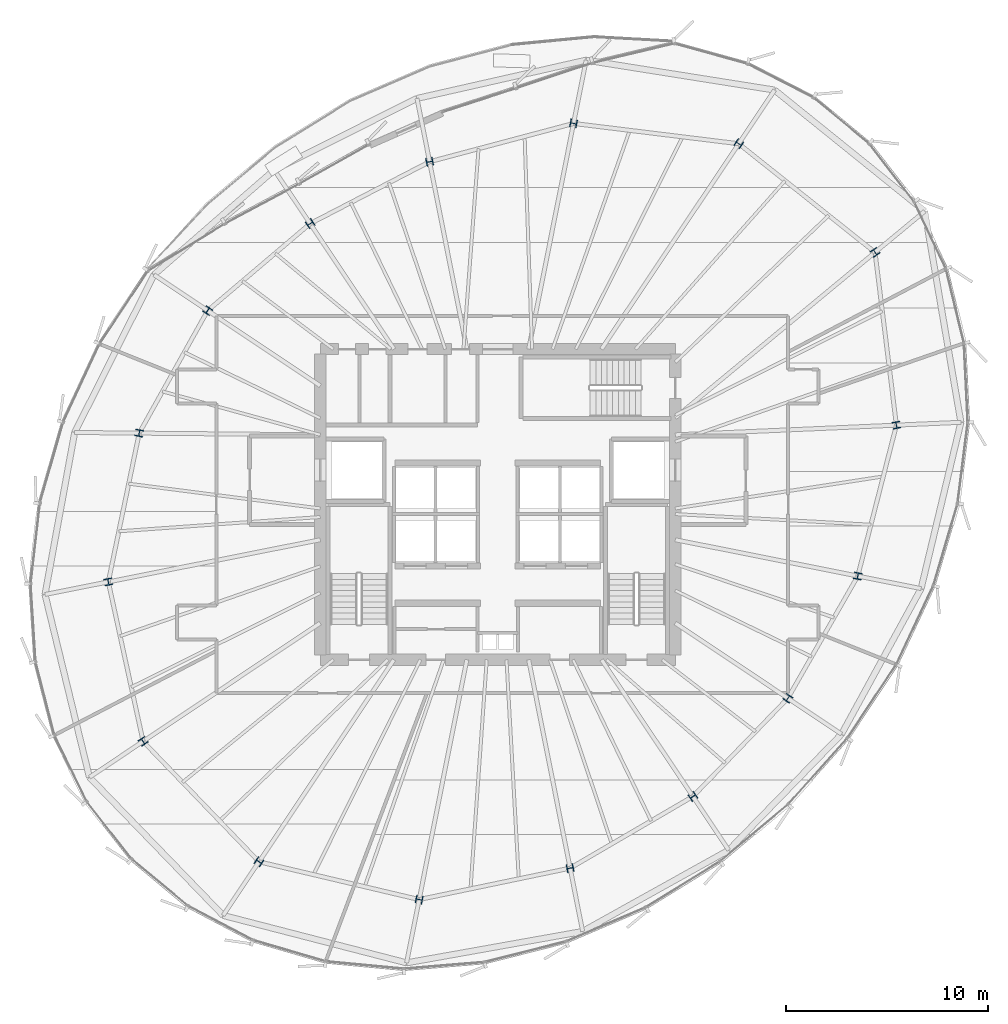
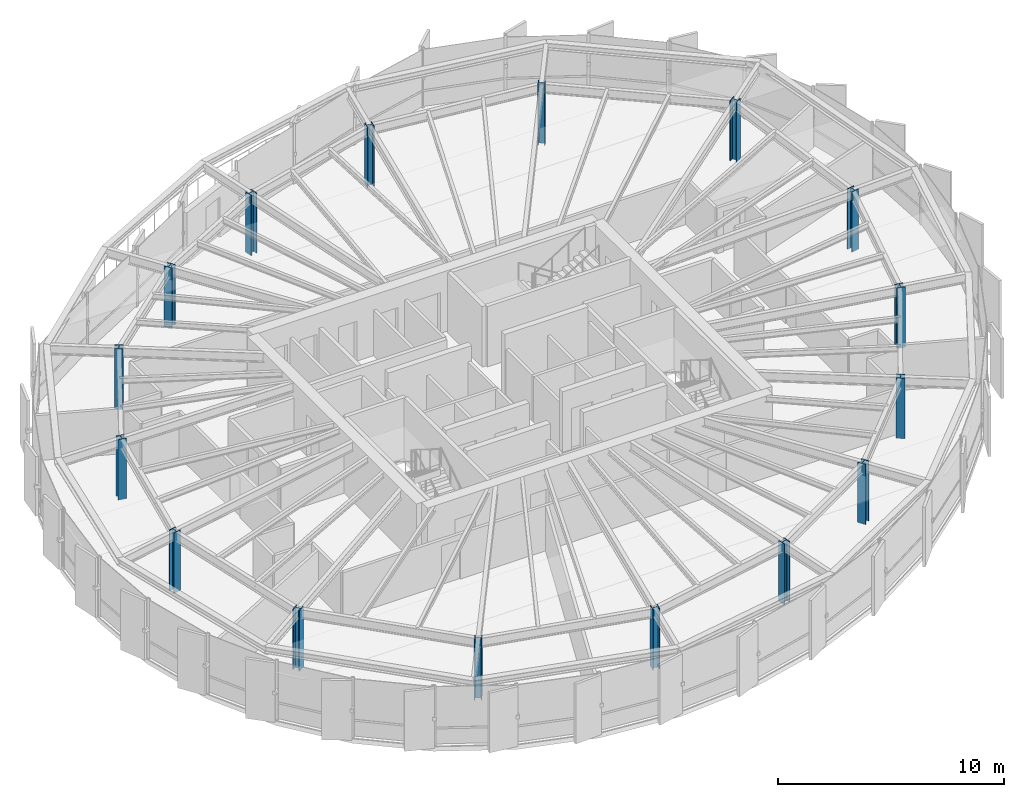
# One storey, part 1 of 33: 16 columns.
"""IFC4 building model written with IfcOpenShell, lengths in metres."""

import ifcopenshell
import ifcopenshell.guid

model = None  # the IFC model being written
_history = None  # IfcOwnerHistory: only IFC2X3 demands one
_inside = {}  # id of a spatial element -> (the spatial element, [elements in it])
_under = {}  # id of a project, library or spatial element -> (it, [spatial elements below it])
_declared = {}  # id of a project -> (the project, [libraries it declares])
_typed = {}  # id of a type object -> (the type object, [elements of that type])
_made_of = {}  # id of a material, layer set ... -> (it, [elements and type objects made of it])


def new_model(schema):
    """Start an empty IFC model of exactly this schema.

    Asked for "IFC4X3", IfcOpenShell would pick the latest addendum, in which some entities
    have other attributes; the version numbers below select the first issue.
    IFC2X3 requires an IfcOwnerHistory on every rooted entity: one is made here for all.
    """
    global model, _history
    if schema == "IFC4X3":
        model = ifcopenshell.file(schema_version=(4, 3, 0, 0))
    else:
        model = ifcopenshell.file(schema=schema)
    _inside.clear()
    _under.clear()
    _declared.clear()
    _typed.clear()
    _made_of.clear()
    _history = None
    if model.schema == "IFC2X3":
        org = make("IfcOrganization", Name="unknown")
        user = make(
            "IfcPersonAndOrganization",
            ThePerson=make("IfcPerson", FamilyName="unknown"),
            TheOrganization=org,
        )
        app = make(
            "IfcApplication",
            ApplicationDeveloper=org,
            Version="unknown",
            ApplicationFullName="unknown",
            ApplicationIdentifier="unknown",
        )
        _history = make(
            "IfcOwnerHistory",
            OwningUser=user,
            OwningApplication=app,
            ChangeAction="ADDED",
            CreationDate=0,
        )
    return model


def make(cls, **values):
    """One entity of the class cls with the attributes given. An attribute that is None is left unset."""
    return model.create_entity(
        cls, **{name: value for name, value in values.items() if value is not None}
    )


def rooted(cls, **values):
    """An entity with a GlobalId (a new one), such as an element, a storey or a relation."""
    return make(cls, GlobalId=ifcopenshell.guid.new(), OwnerHistory=_history, **values)


def si_unit(unit_type, name, prefix=None):
    """IfcSIUnit, for example si_unit("LENGTHUNIT", "METRE", prefix="MILLI")."""
    return make("IfcSIUnit", UnitType=unit_type, Prefix=prefix, Name=name)


def assignment(units):
    """IfcUnitAssignment: the units of a project."""
    return None if units is None else make("IfcUnitAssignment", Units=units)


def point(xyz):
    """IfcCartesianPoint."""
    return None if xyz is None else make("IfcCartesianPoint", Coordinates=xyz)


def direction(xyz):
    """IfcDirection."""
    return None if xyz is None else make("IfcDirection", DirectionRatios=xyz)


def frame(location, z_axis=None, x_axis=None):
    """IfcAxis2Placement3D, a coordinate frame: its origin and axes. An axis left out is left unset."""
    return make(
        "IfcAxis2Placement3D",
        Location=point(location),
        Axis=direction(z_axis),
        RefDirection=direction(x_axis),
    )


def frame_2d(location, x_axis=None):
    """IfcAxis2Placement2D, a coordinate frame in the plane: its origin and x axis."""
    return make(
        "IfcAxis2Placement2D", Location=point(location), RefDirection=direction(x_axis)
    )


def origin():
    """The frame at (0, 0, 0) with its axes left unset."""
    return frame((0.0, 0.0, 0.0))


def origin_2d():
    """The frame at (0, 0) in the plane with its x axis left unset."""
    return frame_2d((0.0, 0.0))


def place(relative_to, where):
    """IfcLocalPlacement: puts the frame where relative to a parent placement (None: the world)."""
    return make(
        "IfcLocalPlacement", PlacementRelTo=relative_to, RelativePlacement=where
    )


def context(
    kind, dimensions, precision=None, world=None, true_north=None, identifier=None
):
    """IfcGeometricRepresentationContext, for example the 3D "Model" context."""
    return make(
        "IfcGeometricRepresentationContext",
        ContextIdentifier=identifier,
        ContextType=kind,
        CoordinateSpaceDimension=dimensions,
        Precision=precision,
        WorldCoordinateSystem=world,
        TrueNorth=true_north,
    )


def subcontext(parent, identifier, kind, view, scale=None):
    """IfcGeometricRepresentationSubContext, for example "Body" below "Model"."""
    return make(
        "IfcGeometricRepresentationSubContext",
        ContextIdentifier=identifier,
        ContextType=kind,
        ParentContext=parent,
        TargetScale=scale,
        TargetView=view,
    )


def project(units=None, contexts=None):
    """IfcProject with its units and contexts."""
    return rooted(
        "IfcProject",
        Name="project",
        RepresentationContexts=contexts,
        UnitsInContext=assignment(units),
    )


def spatial(cls, under=None, at=None, **own):
    """A site, building, storey or space (cls), placed at a placement, below another one or the project."""
    s = rooted(cls, ObjectPlacement=at, **own)
    if under is not None:
        _under.setdefault(under.id(), (under, []))[1].append(s)
    return s


def profile(cls, at=None, kind="AREA", **sizes):
    """A parametric profile (cls). Its sizes go by their IFC names, for example OverallWidth=200.0."""
    return make(cls, ProfileType=kind, Position=at, **sizes)


def i_section(**sizes):
    """IfcIShapeProfileDef."""
    return profile("IfcIShapeProfileDef", **sizes)


def extrude(swept, where, along, depth):
    """IfcExtrudedAreaSolid: the profile swept, set in the frame where, extruded along a direction by depth."""
    return make(
        "IfcExtrudedAreaSolid",
        SweptArea=swept,
        Position=where,
        ExtrudedDirection=direction(along),
        Depth=depth,
    )


def shape(context_of_items, identifier, shape_type, items):
    """IfcShapeRepresentation: the items that make up one representation, for example the "Body"."""
    return make(
        "IfcShapeRepresentation",
        ContextOfItems=context_of_items,
        RepresentationIdentifier=identifier,
        RepresentationType=shape_type,
        Items=items,
    )


def source(mapping_origin, context_of_items, identifier, shape_type, items):
    """IfcRepresentationMap: a shape defined once, which mapped items show again and again."""
    return make(
        "IfcRepresentationMap",
        MappingOrigin=mapping_origin,
        MappedRepresentation=shape(context_of_items, identifier, shape_type, items),
    )


def transform(
    local_origin,
    x_axis=None,
    y_axis=None,
    z_axis=None,
    scale=None,
    scale2=None,
    scale3=None,
    uniform=True,
):
    """IfcCartesianTransformationOperator3D, or its non-uniform kind. x_axis, y_axis, z_axis: its Axis1, 2, 3."""
    if uniform:
        return make(
            "IfcCartesianTransformationOperator3D",
            Axis1=direction(x_axis),
            Axis2=direction(y_axis),
            LocalOrigin=point(local_origin),
            Scale=scale,
            Axis3=direction(z_axis),
        )
    return make(
        "IfcCartesianTransformationOperator3DnonUniform",
        Axis1=direction(x_axis),
        Axis2=direction(y_axis),
        LocalOrigin=point(local_origin),
        Scale=scale,
        Axis3=direction(z_axis),
        Scale2=scale2,
        Scale3=scale3,
    )


def mapped(mapping_source, mapping_target):
    """IfcMappedItem: shows the shape of a source again, moved by a transform."""
    return make(
        "IfcMappedItem", MappingSource=mapping_source, MappingTarget=mapping_target
    )


def material(Name=None, Category=None):
    """IfcMaterial."""
    return make("IfcMaterial", Name=Name, Category=Category)


def material_profile(
    of_material, cross_section, Name=None, Category=None, Priority=None
):
    """IfcMaterialProfile: a cross section and its material."""
    return make(
        "IfcMaterialProfile",
        Name=Name,
        Material=of_material,
        Profile=cross_section,
        Priority=Priority,
        Category=Category,
    )


def profile_set(profiles, Name=None, composite=None):
    """IfcMaterialProfileSet."""
    return make(
        "IfcMaterialProfileSet",
        Name=Name,
        MaterialProfiles=profiles,
        CompositeProfile=composite,
    )


def made_of(thing, what):
    """Note that an element or type object is made of a material, layer set ...; save() writes the relation."""
    if what is not None:
        _made_of.setdefault(what.id(), (what, []))[1].append(thing)
    return thing


def type_object(cls, material=None, **own):
    """A type object (cls), such as IfcWallType, which elements share."""
    return made_of(rooted(cls, **own), material)


def element(
    cls,
    number,
    at=None,
    inside=None,
    cuts=None,
    type_object=None,
    material=None,
    context=None,
    identifier="Body",
    shape_type=None,
    held_by="IfcProductDefinitionShape",
    body=None,
    shapes=None,
    **own,
):
    """One element of the class cls, such as IfcWall. Its Tag is "e" and its number.

    at: its placement. inside: the storey or other place that contains it. cuts: it is an
    opening in that element (IfcRelVoidsElement). A single representation is given by context,
    identifier, shape_type and body (its items); several are given by shapes. held_by: the class
    of the entity that holds the representations. save() writes the other relations.
    """
    e = rooted(cls, Tag="e%d" % number, ObjectPlacement=at, **own)
    if body is not None:
        shapes = [shape(context, identifier, shape_type, body)]
    if shapes is not None:
        e.Representation = make(held_by, Representations=shapes)
    if inside is not None:
        _inside.setdefault(inside.id(), (inside, []))[1].append(e)
    if cuts is not None:
        rooted(
            "IfcRelVoidsElement", RelatingBuildingElement=cuts, RelatedOpeningElement=e
        )
    if type_object is not None:
        _typed.setdefault(type_object.id(), (type_object, []))[1].append(e)
    return made_of(e, material)


def aggregate(whole, parts):
    """IfcRelAggregates: a whole, such as a stair, and the parts it consists of."""
    return rooted("IfcRelAggregates", RelatingObject=whole, RelatedObjects=parts)


def save(model, path):
    """Write the relations noted so far, then the file.

    IfcRelAggregates (storeys below a building ...), IfcRelContainedInSpatialStructure (elements
    in a storey), IfcRelDefinesByType, IfcRelAssociatesMaterial and IfcRelDeclares: one each for
    every whole, place, type object, material and project.
    """
    for whole, parts in _under.values():
        aggregate(whole, parts)
    for where, things in _inside.values():
        rooted(
            "IfcRelContainedInSpatialStructure",
            RelatedElements=things,
            RelatingStructure=where,
        )
    for kind, things in _typed.values():
        rooted("IfcRelDefinesByType", RelatedObjects=things, RelatingType=kind)
    for what, things in _made_of.values():
        rooted("IfcRelAssociatesMaterial", RelatedObjects=things, RelatingMaterial=what)
    for by, libraries in _declared.values():
        rooted("IfcRelDeclares", RelatingContext=by, RelatedDefinitions=libraries)
    model.write(path)


model = new_model("IFC4")

# Units and contexts
model_context = context("Model", 3, precision=1e-05, world=origin(), true_north=direction((0.0, 1.0)))
body_context = subcontext(model_context, "Body", "Model", "MODEL_VIEW")
ifc_project = project(units=[si_unit("LENGTHUNIT", "METRE"), si_unit("AREAUNIT", "SQUARE_METRE"), si_unit("VOLUMEUNIT", "CUBIC_METRE"), si_unit("PLANEANGLEUNIT", "RADIAN"), si_unit("MASSUNIT", "GRAM", prefix="KILO"), si_unit("THERMODYNAMICTEMPERATUREUNIT", "KELVIN")], contexts=[model_context])

# Site, building, storey
site_placement = place(None, origin())
site = spatial("IfcSite", under=ifc_project, at=site_placement, CompositionType="ELEMENT")
building_placement = place(site_placement, origin())
building = spatial("IfcBuilding", under=site, at=building_placement, Name="Kethvar Cultural Tower", CompositionType="ELEMENT")
storey_placement = place(building_placement, frame((0.0, 0.0, 211.39990234375)))
storey = spatial("IfcBuildingStorey", under=building, at=storey_placement, Name="L55", CompositionType="ELEMENT", Elevation=211.39990234375)

# Columns
ifc_material = material(Name="Steel S460M", Category="steel")
ifc_material_profile = material_profile(ifc_material, i_section(OverallWidth=0.39111328125, OverallDepth=0.3349609375, WebThickness=0.022705078125, FlangeThickness=0.033935546875, FilletRadius=0.014892578125, at=origin_2d()), Name="Steel S460M — HD400x463")
ifc_profile_set = profile_set([ifc_material_profile], Name="Steel S460M — HD400x463")
column_type = type_object("IfcColumnType", Name="COL-HD463", PredefinedType="COLUMN", material=ifc_profile_set)
shared_shape = source(origin(), body_context, "Body", "SweptSolid", [
    extrude(i_section(OverallWidth=0.39111328125, OverallDepth=0.3349609375, WebThickness=0.022705078125, FlangeThickness=0.033935546875, FilletRadius=0.014892578125, at=origin_2d()), origin(), (0.0, 0.0, 1.0), 3.260009765625),
])
for number, where, z_axis, x_axis, name in (
    (1, (66.56396484375, 31.731201171875, 0.0), (0.0, 0.0, 1.0), (0.980785280403, 0.195090322016, 0.0), "L55 Mega-Column MC-01"),
    (2, (65.504150390625, 40.297607421875, 0.0), (0.0, 0.0, 1.0), (0.831469612303, 0.55557023302, 0.0), "L55 Mega-Column MC-02"),
    (3, (58.748046875, 45.681396484375, 0.0), (0.0, 0.0, 1.0), (0.55557023302, 0.831469612303, 0.0), "L55 Mega-Column MC-03"),
    (4, (50.556884765625, 46.6875, 0.0), (0.0, 0.0, 1.0), (0.195090322016, 0.980785280403, 0.0), "L55 Mega-Column MC-04"),
    (5, (43.420654296875, 44.789306640625, 0.0), (0.0, 0.0, 1.0), (-0.195090322016, 0.980785280403, 0.0), "L55 Mega-Column MC-05"),
    (6, (37.498779296875, 41.720458984375, 0.0), (0.0, 0.0, 1.0), (-0.55557023302, 0.831469612303, 0.0), "L55 Mega-Column MC-06"),
    (7, (32.418212890625, 37.409423828125, 0.0), (0.0, 0.0, 1.0), (-0.831469612303, 0.55557023302, 0.0), "L55 Mega-Column MC-07"),
    (8, (29.02490234375, 31.335693359375, 0.0), (0.0, 0.0, 1.0), (-0.980785280403, 0.195090322016, 0.0), "L55 Mega-Column MC-08"),
    (9, (27.492919921875, 23.959716796875, 0.0), (0.0, 0.0, 1.0), (-0.980785280403, -0.195090322016, 0.0), "L55 Mega-Column MC-09"),
    (10, (29.217529296875, 16.0517578125, 0.0), (0.0, 0.0, 1.0), (-0.831469612303, -0.55557023302, 0.0), "L55 Mega-Column MC-10"),
    (11, (34.962646484375, 10.084228515625, 0.0), (0.0, 0.0, 1.0), (-0.55557023302, -0.831469612303, 0.0), "L55 Mega-Column MC-11"),
    (12, (42.903564453125, 8.2109375, 0.0), (0.0, 0.0, 1.0), (-0.195090322016, -0.980785280403, 0.0), "L55 Mega-Column MC-12"),
    (13, (50.38671875, 9.7685546875, 0.0), (0.0, 0.0, 1.0), (0.195090322016, -0.980785280403, 0.0), "L55 Mega-Column MC-13"),
    (14, (56.474609375, 13.32080078125, 0.0), (0.0, 0.0, 1.0), (0.55557023302, -0.831469612303, 0.0), "L55 Mega-Column MC-14"),
    (15, (61.1826171875, 18.18994140625, 0.0), (0.0, 0.0, 1.0), (0.831469612303, -0.55557023302, 0.0), "L55 Mega-Column MC-15"),
    (16, (64.648681640625, 24.249755859375, 0.0), (0.0, 0.0, 1.0), (0.980785280403, -0.195090322016, 0.0), "L55 Mega-Column MC-16"),
):
    element("IfcColumn", number, at=place(storey_placement, frame(where, z_axis=z_axis, x_axis=x_axis)), inside=storey, type_object=column_type, Name=name, PredefinedType="COLUMN", context=body_context, shape_type="MappedRepresentation", body=[
        mapped(shared_shape, transform((0.0, 0.0, 0.0), scale=1.0)),
    ])

save(model, "model.ifc")
